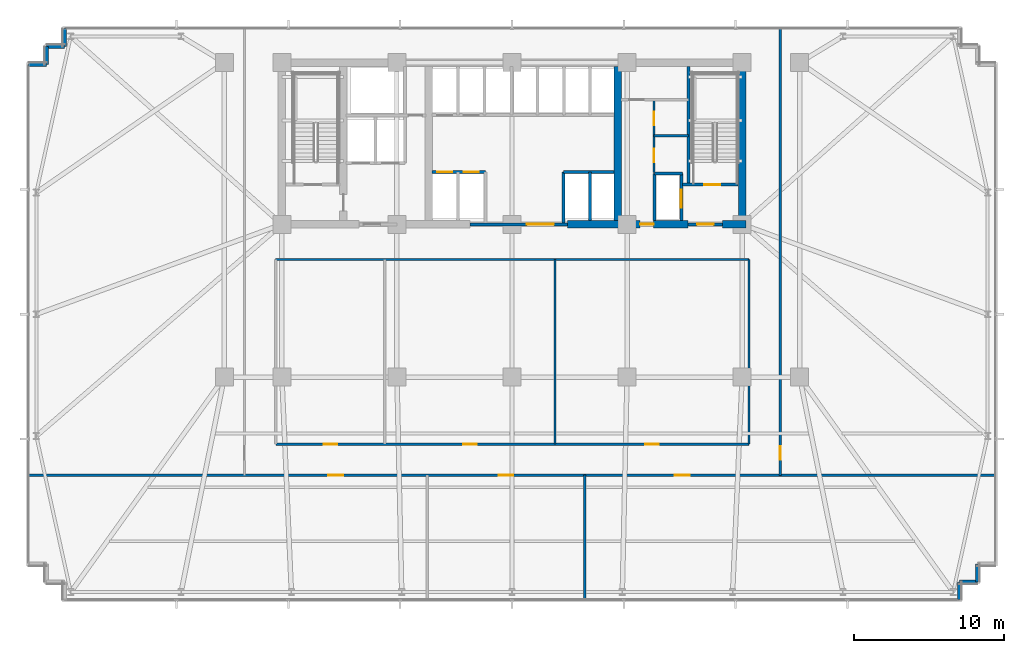
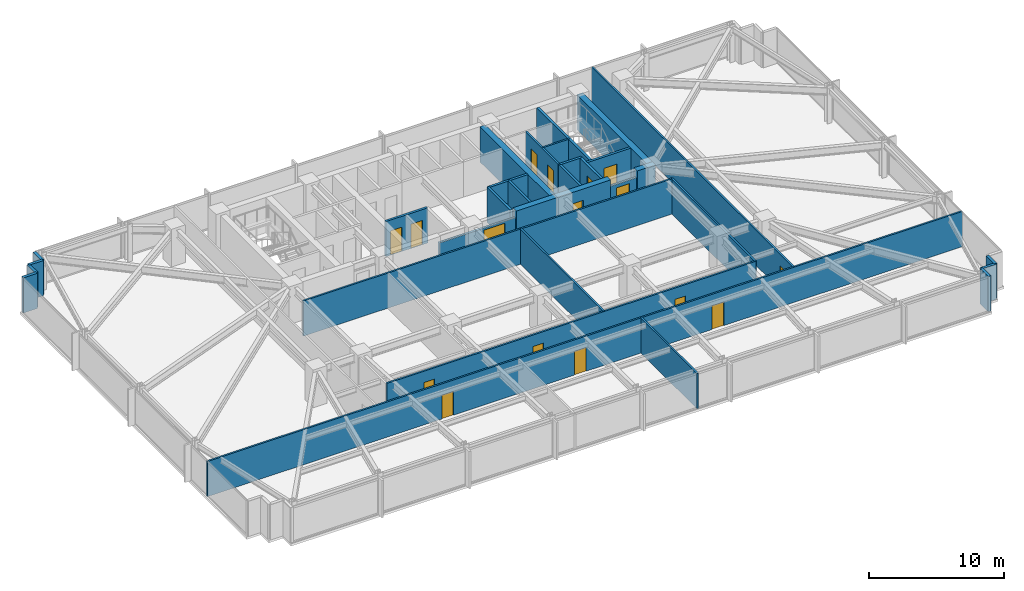
# One storey, part 25 of 32: 31 walls, 16 doors, 16 openings.
"""IFC4 building model written with IfcOpenShell, lengths in metres."""

from ifc_helpers import new_model, si_unit, direction, frame, frame_2d, origin, place, context, subcontext, project, spatial, rectangle, extrude, material, layer, layer_set, type_object, element, fill, save


model = new_model("IFC4")

# Units and contexts
model_context = context("Model", 3, precision=1e-05, world=origin(), true_north=direction((0.0, 1.0)))
body_context = subcontext(model_context, "Body", "Model", "MODEL_VIEW")
ifc_project = project(units=[si_unit("LENGTHUNIT", "METRE"), si_unit("AREAUNIT", "SQUARE_METRE"), si_unit("VOLUMEUNIT", "CUBIC_METRE"), si_unit("PLANEANGLEUNIT", "RADIAN"), si_unit("MASSUNIT", "GRAM", prefix="KILO")], contexts=[model_context])

# Site, building, storey
site_placement = place(None, origin())
site = spatial("IfcSite", under=ifc_project, at=site_placement, CompositionType="ELEMENT")
building_placement = place(site_placement, origin())
building = spatial("IfcBuilding", under=site, at=building_placement, Name="Yelkora Congress Tower", CompositionType="ELEMENT")
storey_placement = place(building_placement, frame((0.0, 0.0, 33.800048828125)))
storey = spatial("IfcBuildingStorey", under=building, at=storey_placement, Name="L07", CompositionType="ELEMENT", Elevation=33.800048828125)

# Wall
ifc_material_1 = material(Name="Concrete C50/60", Category="concrete")
ifc_layer_1 = layer(ifc_material_1, 0.219970703125)
ifc_layer_set_1 = layer_set([ifc_layer_1], Name="Concrete C50/60")
wall_type_1 = type_object("IfcWallType", Name="WALL-CORE-INT-220", PredefinedType="SHEAR", material=ifc_layer_set_1)
wall_1_placement = place(storey_placement, frame((50.179931640625, 38.050048828125, 0.0), z_axis=(0.0, 0.0, 1.0), x_axis=(0.0, 1.0, 0.0)))
element("IfcWall", 1, at=wall_1_placement, inside=storey, type_object=wall_type_1, Name="L07 ST02 West Stair Shear Wall", PredefinedType="SHEAR", context=body_context, shape_type="SweptSolid", body=[
    extrude(rectangle(XDim=7.89990234375, YDim=0.219970703125, at=frame_2d((3.949951171875, 0.0))), origin(), (0.0, 0.0, 1.0), 3.179931640625),
])

# Wall, opening, door
ifc_material_2 = material(Name="Concrete C60/75", Category="concrete")
ifc_layer_2 = layer(ifc_material_2, 0.5)
ifc_layer_set_2 = layer_set([ifc_layer_2], Name="Concrete C60/75")
wall_type_2 = type_object("IfcWallType", Name="WALL-CORE-INT-500", PredefinedType="SHEAR", material=ifc_layer_set_2)
wall_2_placement = place(storey_placement, frame((42.10009765625, 35.39990234375, 0.0), z_axis=(0.0, 0.0, 1.0), x_axis=(1.0, 0.0, 0.0)))
wall_2 = element("IfcWall", 2, at=wall_2_placement, inside=storey, type_object=wall_type_2, Name="L07 Rear Core South-East Shear Wall A", PredefinedType="SHEAR", context=body_context, shape_type="SweptSolid", body=[
    extrude(rectangle(XDim=8.0498046875, YDim=0.5, at=frame_2d((4.02490234375, 0.0))), origin(), (0.0, 0.0, 1.0), 3.179931640625),
])
opening_1_placement = place(wall_2_placement, frame((4.85009765625, 0.0, 0.0)))
opening_1 = element("IfcOpeningElement", 3, at=opening_1_placement, cuts=wall_2, Name="Opening DR-090F6", PredefinedType="OPENING", context=body_context, shape_type="SweptSolid", body=[
    extrude(rectangle(XDim=0.89990234375, YDim=2.14990234375, at=frame_2d((0.449951171875, 1.074951171875))), frame((0.0, 0.260009765625, 0.0), z_axis=(0.0, -1.0, 0.0), x_axis=(1.0, 0.0, 0.0)), (0.0, 0.0, 1.0), 0.52001953125),
])
ifc_material_3 = material(Name="Painted steel riser fire door leaf", Category="steel")
door_type_1 = type_object("IfcDoorType", Name="DOOR-FD60-900", OperationType="NOTDEFINED", PredefinedType="DOOR", material=ifc_material_3)
door_1_placement = place(opening_1_placement, origin())
door_1 = element("IfcDoor", 4, at=door_1_placement, inside=storey, type_object=door_type_1, Name="L07 Core Washroom Lobby Door", OperationType="SINGLE_SWING_RIGHT", OverallHeight=2.14990234375, OverallWidth=0.89990234375, PredefinedType="DOOR", context=body_context, shape_type="SweptSolid", body=[
    extrude(rectangle(XDim=0.89990234375, YDim=2.14990234375, at=frame_2d((0.449951171875, 1.074951171875))), frame((0.0, 0.02490234375, 0.0), z_axis=(0.0, -1.0, 0.0), x_axis=(1.0, 0.0, 0.0)), (0.0, 0.0, 1.0), 0.050048828125),
])
fill(opening_1, door_1)

# Walls
wall_3_placement = place(storey_placement, frame((52.449951171875, 35.39990234375, 0.0), z_axis=(0.0, 0.0, 1.0), x_axis=(1.0, 0.0, 0.0)))
element("IfcWall", 5, at=wall_3_placement, inside=storey, type_object=wall_type_2, Name="L07 Rear Core South-East Shear Wall B", PredefinedType="SHEAR", context=body_context, shape_type="SweptSolid", body=[
    extrude(rectangle(XDim=1.56005859375, YDim=0.5, at=frame_2d((0.780029296875, 0.0))), origin(), (0.0, 0.0, 1.0), 3.179931640625),
])
for number, where, z_axis, x_axis, name in (
    (6, (45.449951171875, 35.64990234375, 0.0), (0.0, 0.0, 1.0), (0.0, 1.0, 0.0), "L07 Rear Core Cross Shear Wall C3"),
    (7, (53.760009765625, 35.64990234375, 0.0), (0.0, 0.0, 1.0), (0.0, 1.0, 0.0), "L07 Rear Core Cross Shear Wall E"),
):
    element("IfcWall", number, at=place(storey_placement, frame(where, z_axis=z_axis, x_axis=x_axis)), inside=storey, type_object=wall_type_2, Name=name, PredefinedType="SHEAR", context=body_context, shape_type="SweptSolid", body=[
        extrude(rectangle(XDim=10.300048828125, YDim=0.5, at=frame_2d((5.14990234375, 0.0))), origin(), (0.0, 0.0, 1.0), 3.179931640625),
    ])
ifc_material_4 = material(Name="Concrete C40/50", Category="concrete")
ifc_layer_3 = layer(ifc_material_4, 0.239990234375)
ifc_layer_set_3 = layer_set([ifc_layer_3], Name="Concrete C40/50")
wall_type_3 = type_object("IfcWallType", Name="WALL-EXT-LIMESTONE-240", PredefinedType="SOLIDWALL", material=ifc_layer_set_3)
wall_4_placement = place(storey_placement, frame((6.139892578125, 46.06005859375, 0.0), z_axis=(0.0, 0.0, 1.0), x_axis=(1.0, 0.0, 0.0)))
element("IfcWall", 8, at=wall_4_placement, inside=storey, type_object=wall_type_3, Name="L07 Serrated Corner Limestone Pier 6", PredefinedType="SOLIDWALL", context=body_context, shape_type="SweptSolid", body=[
    extrude(rectangle(XDim=1.2001953125, YDim=0.239990234375, at=frame_2d((0.60009765625, 0.0))), origin(), (0.0, 0.0, 1.0), 3.179931640625),
])
for number, where, z_axis, x_axis, name in (
    (9, (7.340087890625, 46.06005859375, 0.0), (0.0, 0.0, 1.0), (0.0, 1.0, 0.0), "L07 Serrated Corner Limestone Pier 7"),
    (10, (7.340087890625, 47.260009765625, 0.0), (0.0, 0.0, 1.0), (1.0, 0.0, 0.0), "L07 Serrated Corner Limestone Pier 8"),
    (11, (8.5400390625, 47.260009765625, 0.0), (0.0, 0.0, 1.0), (0.0, 1.0, 0.0), "L07 Serrated Corner Limestone Pier 9"),
    (12, (69.4599609375, 12.739990234375, 0.0), (0.0, 0.0, 1.0), (0.0, -1.0, 0.0), "L07 Serrated Corner Limestone Pier 17"),
    (13, (69.4599609375, 11.5400390625, 0.0), (0.0, 0.0, 1.0), (-1.0, 0.0, 0.0), "L07 Serrated Corner Limestone Pier 18"),
    (14, (68.260009765625, 11.5400390625, 0.0), (0.0, 0.0, 1.0), (0.0, -1.0, 0.0), "L07 Serrated Corner Limestone Pier 19"),
):
    element("IfcWall", number, at=place(storey_placement, frame(where, z_axis=z_axis, x_axis=x_axis)), inside=storey, type_object=wall_type_3, Name=name, PredefinedType="SOLIDWALL", context=body_context, shape_type="SweptSolid", body=[
        extrude(rectangle(XDim=1.199951171875, YDim=0.239990234375, at=frame_2d((0.60009765625, 0.0))), origin(), (0.0, 0.0, 1.0), 3.179931640625),
    ])
ifc_material_5 = material(Name="Acoustic metal-stud gypsum partition", Category="gypsum")
ifc_layer_4 = layer(ifc_material_5, 0.14990234375)
ifc_layer_set_4 = layer_set([ifc_layer_4], Name="Acoustic metal-stud gypsum partition")
wall_type_4 = type_object("IfcWallType", Name="WALL-INT-150-NR", PredefinedType="PARTITIONING", material=ifc_layer_set_4)
wall_5_placement = place(storey_placement, frame((47.8798828125, 41.320068359375, 0.0), z_axis=(0.0, 0.0, 1.0), x_axis=(1.0, 0.0, 0.0)))
element("IfcWall", 15, at=wall_5_placement, inside=storey, type_object=wall_type_4, Name="L07 Partition Wall 29", PredefinedType="PARTITIONING", context=body_context, shape_type="SweptSolid", body=[
    extrude(rectangle(XDim=2.300048828125, YDim=0.14990234375, at=frame_2d((1.14990234375, 0.0))), origin(), (0.0, 0.0, 1.0), 3.179931640625),
])

# Wall, openings, doors
wall_6_placement = place(storey_placement, frame((47.8798828125, 38.85009765625, 0.0), z_axis=(0.0, 0.0, 1.0), x_axis=(0.0, 1.0, 0.0)))
wall_6 = element("IfcWall", 16, at=wall_6_placement, inside=storey, type_object=wall_type_4, Name="L07 Partition Wall 30", PredefinedType="PARTITIONING", context=body_context, shape_type="SweptSolid", body=[
    extrude(rectangle(XDim=4.869873046875, YDim=0.14990234375, at=frame_2d((2.43505859375, 0.0))), origin(), (0.0, 0.0, 1.0), 3.179931640625),
])
opening_2_placement = place(wall_6_placement, frame((0.699951171875, 0.0, 0.0)))
opening_2 = element("IfcOpeningElement", 17, at=opening_2_placement, cuts=wall_6, Name="Opening DR-090N", PredefinedType="OPENING", context=body_context, shape_type="SweptSolid", body=[
    extrude(rectangle(XDim=0.89990234375, YDim=2.14990234375, at=frame_2d((0.449951171875, 1.074951171875))), frame((0.0, 0.0849609375, 0.0), z_axis=(0.0, -1.0, 0.0), x_axis=(1.0, 0.0, 0.0)), (0.0, 0.0, 1.0), 0.169921875),
])
opening_3_placement = place(wall_6_placement, frame((3.14990234375, 0.0, 0.0)))
opening_3 = element("IfcOpeningElement", 18, at=opening_3_placement, cuts=wall_6, Name="Opening DR-090N", PredefinedType="OPENING", context=body_context, shape_type="SweptSolid", body=[
    extrude(rectangle(XDim=0.89990234375, YDim=2.14990234375, at=frame_2d((0.449951171875, 1.074951171875))), frame((0.0, 0.0849609375, 0.0), z_axis=(0.0, -1.0, 0.0), x_axis=(1.0, 0.0, 0.0)), (0.0, 0.0, 1.0), 0.169921875),
])
ifc_material_6 = material(Name="Moisture-resistant laminate door leaf", Category="wood")
door_type_2 = type_object("IfcDoorType", Name="DOOR-INT-900", OperationType="NOTDEFINED", PredefinedType="DOOR", material=ifc_material_6)
door_2_placement = place(opening_2_placement, origin())
door_2 = element("IfcDoor", 19, at=door_2_placement, inside=storey, type_object=door_type_2, Name="L07 Male WC Door", OperationType="SINGLE_SWING_LEFT", OverallHeight=2.14990234375, OverallWidth=0.89990234375, PredefinedType="DOOR", context=body_context, shape_type="SweptSolid", body=[
    extrude(rectangle(XDim=0.89990234375, YDim=2.14990234375, at=frame_2d((0.449951171875, 1.074951171875))), frame((0.0, 0.02490234375, 0.0), z_axis=(0.0, -1.0, 0.0), x_axis=(1.0, 0.0, 0.0)), (0.0, 0.0, 1.0), 0.050048828125),
])
fill(opening_2, door_2)
door_3_placement = place(opening_3_placement, origin())
door_3 = element("IfcDoor", 20, at=door_3_placement, inside=storey, type_object=door_type_2, Name="L07 Female WC Door", OperationType="SINGLE_SWING_RIGHT", OverallHeight=2.14990234375, OverallWidth=0.89990234375, PredefinedType="DOOR", context=body_context, shape_type="SweptSolid", body=[
    extrude(rectangle(XDim=0.89990234375, YDim=2.14990234375, at=frame_2d((0.449951171875, 1.074951171875))), frame((0.0, 0.02490234375, 0.0), z_axis=(0.0, -1.0, 0.0), x_axis=(1.0, 0.0, 0.0)), (0.0, 0.0, 1.0), 0.050048828125),
])
fill(opening_3, door_3)

# Wall
wall_7_placement = place(storey_placement, frame((43.2548828125, 10.280029296875, 0.0), z_axis=(0.0, 0.0, 1.0), x_axis=(0.0, 1.0, 0.0)))
element("IfcWall", 21, at=wall_7_placement, inside=storey, type_object=wall_type_4, Name="L07 Partition Wall 32", PredefinedType="PARTITIONING", context=body_context, shape_type="SweptSolid", body=[
    extrude(rectangle(XDim=8.389892578125, YDim=0.14990234375, at=frame_2d((4.19482421875, 0.0))), origin(), (0.0, 0.0, 1.0), 3.179931640625),
])

# Wall, openings, doors
wall_8_placement = place(storey_placement, frame((6.080078125, 18.64990234375, 0.0), z_axis=(0.0, 0.0, 1.0), x_axis=(1.0, 0.0, 0.0)))
wall_8 = element("IfcWall", 22, at=wall_8_placement, inside=storey, type_object=wall_type_4, Name="L07 South Spine Wall", PredefinedType="PARTITIONING", context=body_context, shape_type="SweptSolid", body=[
    extrude(rectangle(XDim=64.639892578125, YDim=0.14990234375, at=frame_2d((32.31982421875, 0.0))), origin(), (0.0, 0.0, 1.0), 3.179931640625),
])
opening_4_placement = place(wall_8_placement, frame((20.06689453125, 0.0, 0.0)))
opening_4 = element("IfcOpeningElement", 23, at=opening_4_placement, cuts=wall_8, Name="Opening DR-100N", PredefinedType="OPENING", context=body_context, shape_type="SweptSolid", body=[
    extrude(rectangle(XDim=1.0, YDim=2.14990234375, at=frame_2d((0.5, 1.074951171875))), frame((0.0, 0.0849609375, 0.0), z_axis=(0.0, -1.0, 0.0), x_axis=(1.0, 0.0, 0.0)), (0.0, 0.0, 1.0), 0.169921875),
])
opening_5_placement = place(wall_8_placement, frame((31.41943359375, 0.0, 0.0)))
opening_5 = element("IfcOpeningElement", 24, at=opening_5_placement, cuts=wall_8, Name="Opening DR-100N", PredefinedType="OPENING", context=body_context, shape_type="SweptSolid", body=[
    extrude(rectangle(XDim=1.0, YDim=2.14990234375, at=frame_2d((0.5, 1.074951171875))), frame((0.0, 0.0849609375, 0.0), z_axis=(0.0, -1.0, 0.0), x_axis=(1.0, 0.0, 0.0)), (0.0, 0.0, 1.0), 0.169921875),
])
opening_6_placement = place(wall_8_placement, frame((43.197509765625, 0.0, 0.0)))
opening_6 = element("IfcOpeningElement", 25, at=opening_6_placement, cuts=wall_8, Name="Opening DR-100N", PredefinedType="OPENING", context=body_context, shape_type="SweptSolid", body=[
    extrude(rectangle(XDim=1.0, YDim=2.14990234375, at=frame_2d((0.5, 1.074951171875))), frame((0.0, 0.0849609375, 0.0), z_axis=(0.0, -1.0, 0.0), x_axis=(1.0, 0.0, 0.0)), (0.0, 0.0, 1.0), 0.169921875),
])
ifc_material_7 = material(Name="Solid-core Anatolian oak veneer door", Category="wood")
door_type_3 = type_object("IfcDoorType", Name="DOOR-INT-1000", OperationType="NOTDEFINED", PredefinedType="DOOR", material=ifc_material_7)
door_4_placement = place(opening_4_placement, origin())
door_4 = element("IfcDoor", 26, at=door_4_placement, inside=storey, type_object=door_type_3, Name="L07 Open-Plan Office Door", OperationType="SINGLE_SWING_LEFT", OverallHeight=2.14990234375, OverallWidth=1.0, PredefinedType="DOOR", context=body_context, shape_type="SweptSolid", body=[
    extrude(rectangle(XDim=1.0, YDim=2.14990234375, at=frame_2d((0.5, 1.074951171875))), frame((0.0, 0.02490234375, 0.0), z_axis=(0.0, -1.0, 0.0), x_axis=(1.0, 0.0, 0.0)), (0.0, 0.0, 1.0), 0.050048828125),
])
fill(opening_4, door_4)
door_5_placement = place(opening_5_placement, origin())
door_5 = element("IfcDoor", 27, at=door_5_placement, inside=storey, type_object=door_type_3, Name="L07 Executive Office Door", OperationType="SINGLE_SWING_RIGHT", OverallHeight=2.14990234375, OverallWidth=1.0, PredefinedType="DOOR", context=body_context, shape_type="SweptSolid", body=[
    extrude(rectangle(XDim=1.0, YDim=2.14990234375, at=frame_2d((0.5, 1.074951171875))), frame((0.0, 0.02490234375, 0.0), z_axis=(0.0, -1.0, 0.0), x_axis=(1.0, 0.0, 0.0)), (0.0, 0.0, 1.0), 0.050048828125),
])
fill(opening_5, door_5)
door_6_placement = place(opening_6_placement, origin())
door_6 = element("IfcDoor", 28, at=door_6_placement, inside=storey, type_object=door_type_3, Name="L07 Conference Boardroom Door", OperationType="SINGLE_SWING_LEFT", OverallHeight=2.14990234375, OverallWidth=1.0, PredefinedType="DOOR", context=body_context, shape_type="SweptSolid", body=[
    extrude(rectangle(XDim=1.0, YDim=2.14990234375, at=frame_2d((0.5, 1.074951171875))), frame((0.0, 0.02490234375, 0.0), z_axis=(0.0, -1.0, 0.0), x_axis=(1.0, 0.0, 0.0)), (0.0, 0.0, 1.0), 0.050048828125),
])
fill(opening_6, door_6)

# Wall, opening, door
wall_9_placement = place(storey_placement, frame((56.300048828125, 18.64990234375, 0.0), z_axis=(0.0, 0.0, 1.0), x_axis=(0.0, 1.0, 0.0)))
wall_9 = element("IfcWall", 29, at=wall_9_placement, inside=storey, type_object=wall_type_4, Name="L07 Partition Wall 35", PredefinedType="PARTITIONING", context=body_context, shape_type="SweptSolid", body=[
    extrude(rectangle(XDim=29.8701171875, YDim=0.14990234375, at=frame_2d((14.93505859375, 0.0))), origin(), (0.0, 0.0, 1.0), 3.179931640625),
])
opening_7_placement = place(wall_9_placement, frame((1.030029296875, 0.0, 0.0)))
opening_7 = element("IfcOpeningElement", 30, at=opening_7_placement, cuts=wall_9, Name="Opening DR-090N", PredefinedType="OPENING", context=body_context, shape_type="SweptSolid", body=[
    extrude(rectangle(XDim=0.89990234375, YDim=2.14990234375, at=frame_2d((0.449951171875, 1.074951171875))), frame((0.0, 0.0849609375, 0.0), z_axis=(0.0, -1.0, 0.0), x_axis=(1.0, 0.0, 0.0)), (0.0, 0.0, 1.0), 0.169921875),
])
door_7_placement = place(opening_7_placement, origin())
door_7 = element("IfcDoor", 31, at=door_7_placement, inside=storey, type_object=door_type_2, Name="L07 E Wing Door", OperationType="SINGLE_SWING_LEFT", OverallHeight=2.14990234375, OverallWidth=0.89990234375, PredefinedType="DOOR", context=body_context, shape_type="SweptSolid", body=[
    extrude(rectangle(XDim=0.89990234375, YDim=2.14990234375, at=frame_2d((0.449951171875, 1.074951171875))), frame((0.0, 0.02490234375, 0.0), z_axis=(0.0, -1.0, 0.0), x_axis=(1.0, 0.0, 0.0)), (0.0, 0.0, 1.0), 0.050048828125),
])
fill(opening_7, door_7)

# Walls
wall_10_placement = place(storey_placement, frame((54.219970703125, 20.72998046875, 0.0), z_axis=(0.0, 0.0, 1.0), x_axis=(0.0, 1.0, 0.0)))
element("IfcWall", 32, at=wall_10_placement, inside=storey, type_object=wall_type_4, Name="L07 Partition Wall 37", PredefinedType="PARTITIONING", context=body_context, shape_type="SweptSolid", body=[
    extrude(rectangle(XDim=12.320068359375, YDim=0.14990234375, at=frame_2d((6.16015625, 0.0))), origin(), (0.0, 0.0, 1.0), 3.179931640625),
])
wall_11_placement = place(storey_placement, frame((22.6298828125, 33.050048828125, 0.0), z_axis=(0.0, 0.0, 1.0), x_axis=(1.0, 0.0, 0.0)))
element("IfcWall", 33, at=wall_11_placement, inside=storey, type_object=wall_type_4, Name="L07 Partition Wall 38", PredefinedType="PARTITIONING", context=body_context, shape_type="SweptSolid", body=[
    extrude(rectangle(XDim=31.590087890625, YDim=0.14990234375, at=frame_2d((15.794921875, 0.0))), origin(), (0.0, 0.0, 1.0), 3.179931640625),
])
wall_12_placement = place(storey_placement, frame((41.26611328125, 20.72998046875, 0.0), z_axis=(0.0, 0.0, 1.0), x_axis=(0.0, 1.0, 0.0)))
element("IfcWall", 34, at=wall_12_placement, inside=storey, type_object=wall_type_4, Name="L07 Partition Wall 40", PredefinedType="PARTITIONING", context=body_context, shape_type="SweptSolid", body=[
    extrude(rectangle(XDim=12.320068359375, YDim=0.14990234375, at=frame_2d((6.16015625, 0.0))), origin(), (0.0, 0.0, 1.0), 3.179931640625),
])

# Wall, openings, doors
wall_13_placement = place(storey_placement, frame((22.639892578125, 20.72998046875, 0.0), z_axis=(0.0, 0.0, 1.0), x_axis=(1.0, 0.0, 0.0)))
wall_13 = element("IfcWall", 35, at=wall_13_placement, inside=storey, type_object=wall_type_4, Name="L07 Partition Wall 41", PredefinedType="PARTITIONING", context=body_context, shape_type="SweptSolid", body=[
    extrude(rectangle(XDim=31.570068359375, YDim=0.14990234375, at=frame_2d((15.78515625, 0.0))), origin(), (0.0, 0.0, 1.0), 3.179931640625),
])
opening_8_placement = place(wall_13_placement, frame((3.180419921875, 0.0, 0.0)))
opening_8 = element("IfcOpeningElement", 36, at=opening_8_placement, cuts=wall_13, Name="Opening DR-090N", PredefinedType="OPENING", context=body_context, shape_type="SweptSolid", body=[
    extrude(rectangle(XDim=0.89990234375, YDim=2.14990234375, at=frame_2d((0.449951171875, 1.074951171875))), frame((0.0, 0.0849609375, 0.0), z_axis=(0.0, -1.0, 0.0), x_axis=(1.0, 0.0, 0.0)), (0.0, 0.0, 1.0), 0.169921875),
])
opening_9_placement = place(wall_13_placement, frame((12.493408203125, 0.0, 0.0)))
opening_9 = element("IfcOpeningElement", 37, at=opening_9_placement, cuts=wall_13, Name="Opening DR-090N", PredefinedType="OPENING", context=body_context, shape_type="SweptSolid", body=[
    extrude(rectangle(XDim=0.89990234375, YDim=2.14990234375, at=frame_2d((0.449951171875, 1.074951171875))), frame((0.0, 0.0849609375, 0.0), z_axis=(0.0, -1.0, 0.0), x_axis=(1.0, 0.0, 0.0)), (0.0, 0.0, 1.0), 0.169921875),
])
opening_10_placement = place(wall_13_placement, frame((24.64794921875, 0.0, 0.0)))
opening_10 = element("IfcOpeningElement", 38, at=opening_10_placement, cuts=wall_13, Name="Opening DR-090N", PredefinedType="OPENING", context=body_context, shape_type="SweptSolid", body=[
    extrude(rectangle(XDim=0.89990234375, YDim=2.14990234375, at=frame_2d((0.449951171875, 1.074951171875))), frame((0.0, 0.0849609375, 0.0), z_axis=(0.0, -1.0, 0.0), x_axis=(1.0, 0.0, 0.0)), (0.0, 0.0, 1.0), 0.169921875),
])
door_8_placement = place(opening_8_placement, origin())
door_8 = element("IfcDoor", 39, at=door_8_placement, inside=storey, type_object=door_type_2, Name="L07 Catering Servery Kitchen Door", OperationType="SINGLE_SWING_RIGHT", OverallHeight=2.14990234375, OverallWidth=0.89990234375, PredefinedType="DOOR", context=body_context, shape_type="SweptSolid", body=[
    extrude(rectangle(XDim=0.89990234375, YDim=2.14990234375, at=frame_2d((0.449951171875, 1.074951171875))), frame((0.0, 0.02490234375, 0.0), z_axis=(0.0, -1.0, 0.0), x_axis=(1.0, 0.0, 0.0)), (0.0, 0.0, 1.0), 0.050048828125),
])
fill(opening_8, door_8)
door_9_placement = place(opening_9_placement, origin())
door_9 = element("IfcDoor", 40, at=door_9_placement, inside=storey, type_object=door_type_2, Name="L07 Business Concierge Office Door", OperationType="SINGLE_SWING_LEFT", OverallHeight=2.14990234375, OverallWidth=0.89990234375, PredefinedType="DOOR", context=body_context, shape_type="SweptSolid", body=[
    extrude(rectangle(XDim=0.89990234375, YDim=2.14990234375, at=frame_2d((0.449951171875, 1.074951171875))), frame((0.0, 0.02490234375, 0.0), z_axis=(0.0, -1.0, 0.0), x_axis=(1.0, 0.0, 0.0)), (0.0, 0.0, 1.0), 0.050048828125),
])
fill(opening_9, door_9)
door_10_placement = place(opening_10_placement, origin())
door_10 = element("IfcDoor", 41, at=door_10_placement, inside=storey, type_object=door_type_2, Name="L07 Refreshment Galley Door", OperationType="SINGLE_SWING_RIGHT", OverallHeight=2.14990234375, OverallWidth=0.89990234375, PredefinedType="DOOR", context=body_context, shape_type="SweptSolid", body=[
    extrude(rectangle(XDim=0.89990234375, YDim=2.14990234375, at=frame_2d((0.449951171875, 1.074951171875))), frame((0.0, 0.02490234375, 0.0), z_axis=(0.0, -1.0, 0.0), x_axis=(1.0, 0.0, 0.0)), (0.0, 0.0, 1.0), 0.050048828125),
])
fill(opening_10, door_10)

# Wall, opening, door
ifc_material_8 = material(Name="Autoclaved aerated concrete blockwork", Category="masonry")
ifc_layer_5 = layer(ifc_material_8, 0.199951171875)
ifc_layer_set_5 = layer_set([ifc_layer_5], Name="Autoclaved aerated concrete blockwork")
wall_type_5 = type_object("IfcWallType", Name="WALL-INT-200-R120", PredefinedType="PARTITIONING", material=ifc_layer_set_5)
wall_14_placement = place(storey_placement, frame((35.60009765625, 35.39990234375, 0.0), z_axis=(0.0, 0.0, 1.0), x_axis=(1.0, 0.0, 0.0)))
wall_14 = element("IfcWall", 42, at=wall_14_placement, inside=storey, type_object=wall_type_5, Name="L07 Main Lift Lobby South Portal Wall", PredefinedType="PARTITIONING", context=body_context, shape_type="SweptSolid", body=[
    extrude(rectangle(XDim=6.5, YDim=0.199951171875, at=frame_2d((3.25, 0.0))), origin(), (0.0, 0.0, 1.0), 2.474853515625),
])
opening_11_placement = place(wall_14_placement, frame((3.800048828125, 0.0, 0.0)))
opening_11 = element("IfcOpeningElement", 43, at=opening_11_placement, cuts=wall_14, Name="Opening DR-180D", PredefinedType="OPENING", context=body_context, shape_type="SweptSolid", body=[
    extrude(rectangle(XDim=1.800048828125, YDim=2.300048828125, at=frame_2d((0.89990234375, 1.14990234375))), frame((0.0, 0.10986328125, 0.0), z_axis=(0.0, -1.0, 0.0), x_axis=(1.0, 0.0, 0.0)), (0.0, 0.0, 1.0), 0.219970703125),
])
ifc_material_9 = material(Name="Acoustic double congress hall doors", Category="wood")
door_type_4 = type_object("IfcDoorType", Name="DOOR-DBL-1800", OperationType="DOUBLE_DOOR_SINGLE_SWING", PredefinedType="DOOR", material=ifc_material_9)
door_11_placement = place(opening_11_placement, origin())
door_11 = element("IfcDoor", 44, at=door_11_placement, inside=storey, type_object=door_type_4, Name="L07 Main Lift Lobby Portal Door", OperationType="DOUBLE_DOOR_SINGLE_SWING", OverallHeight=2.300048828125, OverallWidth=1.800048828125, PredefinedType="DOOR", context=body_context, shape_type="SweptSolid", body=[
    extrude(rectangle(XDim=1.800048828125, YDim=2.300048828125, at=frame_2d((0.89990234375, 1.14990234375))), frame((0.0, 0.02490234375, 0.0), z_axis=(0.0, -1.0, 0.0), x_axis=(1.0, 0.0, 0.0)), (0.0, 0.0, 1.0), 0.050048828125),
])
fill(opening_11, door_11)

# Wall, openings, doors
wall_15_placement = place(storey_placement, frame((33.050048828125, 38.89990234375, 0.0), z_axis=(0.0, 0.0, 1.0), x_axis=(1.0, 0.0, 0.0)))
wall_15 = element("IfcWall", 45, at=wall_15_placement, inside=storey, type_object=wall_type_5, Name="L07 Partition Wall 11", PredefinedType="PARTITIONING", context=body_context, shape_type="SweptSolid", body=[
    extrude(rectangle(XDim=3.570068359375, YDim=0.199951171875, at=frame_2d((1.78515625, 0.0))), origin(), (0.0, 0.0, 1.0), 3.179931640625),
])
opening_12_placement = place(wall_15_placement, frame((0.375, 0.0, 0.0)))
opening_12 = element("IfcOpeningElement", 46, at=opening_12_placement, cuts=wall_15, Name="Opening LD-PS10", PredefinedType="OPENING", context=body_context, shape_type="SweptSolid", body=[
    extrude(rectangle(XDim=1.0, YDim=2.199951171875, at=frame_2d((0.5, 1.10009765625))), frame((0.0, 0.10986328125, 0.0), z_axis=(0.0, -1.0, 0.0), x_axis=(1.0, 0.0, 0.0)), (0.0, 0.0, 1.0), 0.219970703125),
])
opening_13_placement = place(wall_15_placement, frame((2.125, 0.0, 0.0)))
opening_13 = element("IfcOpeningElement", 47, at=opening_13_placement, cuts=wall_15, Name="Opening LD-PS10", PredefinedType="OPENING", context=body_context, shape_type="SweptSolid", body=[
    extrude(rectangle(XDim=1.0, YDim=2.199951171875, at=frame_2d((0.5, 1.10009765625))), frame((0.0, 0.10986328125, 0.0), z_axis=(0.0, -1.0, 0.0), x_axis=(1.0, 0.0, 0.0)), (0.0, 0.0, 1.0), 0.219970703125),
])
ifc_material_10 = material(Name="Champagne stainless steel landing door", Category="steel")
door_type_5 = type_object("IfcDoorType", Name="DOOR-LIFT-PAS-1000", OperationType="DOUBLE_DOOR_SLIDING", PredefinedType="DOOR", material=ifc_material_10)
door_12_placement = place(opening_12_placement, origin())
door_12 = element("IfcDoor", 48, at=door_12_placement, inside=storey, type_object=door_type_5, Name="Lift Landing Door LF-P1 L07", OperationType="DOUBLE_DOOR_SLIDING", OverallHeight=2.199951171875, OverallWidth=1.0, PredefinedType="DOOR", context=body_context, shape_type="SweptSolid", body=[
    extrude(rectangle(XDim=1.0, YDim=2.199951171875, at=frame_2d((0.5, 1.10009765625))), frame((0.0, 0.02490234375, 0.0), z_axis=(0.0, -1.0, 0.0), x_axis=(1.0, 0.0, 0.0)), (0.0, 0.0, 1.0), 0.050048828125),
])
fill(opening_12, door_12)
door_13_placement = place(opening_13_placement, origin())
door_13 = element("IfcDoor", 49, at=door_13_placement, inside=storey, type_object=door_type_5, Name="Lift Landing Door LF-P2 L07", OperationType="DOUBLE_DOOR_SLIDING", OverallHeight=2.199951171875, OverallWidth=1.0, PredefinedType="DOOR", context=body_context, shape_type="SweptSolid", body=[
    extrude(rectangle(XDim=1.0, YDim=2.199951171875, at=frame_2d((0.5, 1.10009765625))), frame((0.0, 0.02490234375, 0.0), z_axis=(0.0, -1.0, 0.0), x_axis=(1.0, 0.0, 0.0)), (0.0, 0.0, 1.0), 0.050048828125),
])
fill(opening_13, door_13)

# Walls
wall_16_placement = place(storey_placement, frame((41.85009765625, 38.89990234375, 0.0), z_axis=(0.0, 0.0, 1.0), x_axis=(1.0, 0.0, 0.0)))
element("IfcWall", 50, at=wall_16_placement, inside=storey, type_object=wall_type_5, Name="L07 Partition Wall 17", PredefinedType="PARTITIONING", context=body_context, shape_type="SweptSolid", body=[
    extrude(rectangle(XDim=3.369873046875, YDim=0.199951171875, at=frame_2d((1.68505859375, 0.0))), origin(), (0.0, 0.0, 1.0), 3.179931640625),
])
wall_17_placement = place(storey_placement, frame((43.60009765625, 35.64990234375, 0.0), z_axis=(0.0, 0.0, 1.0), x_axis=(0.0, 1.0, 0.0)))
element("IfcWall", 51, at=wall_17_placement, inside=storey, type_object=wall_type_5, Name="L07 Partition Wall 19", PredefinedType="PARTITIONING", context=body_context, shape_type="SweptSolid", body=[
    extrude(rectangle(XDim=3.25, YDim=0.199951171875, at=frame_2d((1.625, 0.0))), origin(), (0.0, 0.0, 1.0), 3.179931640625),
])
wall_18_placement = place(storey_placement, frame((41.85009765625, 35.5, 0.0), z_axis=(0.0, 0.0, 1.0), x_axis=(0.0, 1.0, 0.0)))
element("IfcWall", 52, at=wall_18_placement, inside=storey, type_object=wall_type_5, Name="L07 Partition Wall 21", PredefinedType="PARTITIONING", context=body_context, shape_type="SweptSolid", body=[
    extrude(rectangle(XDim=3.39990234375, YDim=0.199951171875, at=frame_2d((1.699951171875, 0.0))), origin(), (0.0, 0.0, 1.0), 3.179931640625),
])

# Wall, opening, door
wall_19_placement = place(storey_placement, frame((49.780029296875, 38.050048828125, 0.0), z_axis=(0.0, 0.0, 1.0), x_axis=(1.0, 0.0, 0.0)))
wall_19 = element("IfcWall", 53, at=wall_19_placement, inside=storey, type_object=wall_type_5, Name="L07 Stair ST-02 Enclosure Wall", PredefinedType="PARTITIONING", context=body_context, shape_type="SweptSolid", body=[
    extrude(rectangle(XDim=3.719970703125, YDim=0.199951171875, at=frame_2d((1.85986328125, 0.0))), origin(), (0.0, 0.0, 1.0), 3.179931640625),
])
opening_14_placement = place(wall_19_placement, frame((1.436279296875, 0.0, 0.0)))
opening_14 = element("IfcOpeningElement", 54, at=opening_14_placement, cuts=wall_19, Name="Opening DR-110F9", PredefinedType="OPENING", context=body_context, shape_type="SweptSolid", body=[
    extrude(rectangle(XDim=1.10009765625, YDim=2.14990234375, at=frame_2d((0.550048828125, 1.074951171875))), frame((0.0, 0.10986328125, 0.0), z_axis=(0.0, -1.0, 0.0), x_axis=(1.0, 0.0, 0.0)), (0.0, 0.0, 1.0), 0.219970703125),
])
ifc_material_11 = material(Name="Galvanised steel fire door leaf", Category="steel")
door_type_6 = type_object("IfcDoorType", Name="DOOR-FD90-1100", OperationType="NOTDEFINED", PredefinedType="DOOR", material=ifc_material_11)
door_14_placement = place(opening_14_placement, origin())
door_14 = element("IfcDoor", 55, at=door_14_placement, inside=storey, type_object=door_type_6, Name="L07 Stair ST-02 Entry Door", OperationType="SINGLE_SWING_LEFT", OverallHeight=2.14990234375, OverallWidth=1.10009765625, PredefinedType="DOOR", context=body_context, shape_type="SweptSolid", body=[
    extrude(rectangle(XDim=1.10009765625, YDim=2.14990234375, at=frame_2d((0.550048828125, 1.074951171875))), frame((0.0, 0.02490234375, 0.0), z_axis=(0.0, -1.0, 0.0), x_axis=(1.0, 0.0, 0.0)), (0.0, 0.0, 1.0), 0.050048828125),
])
fill(opening_14, door_14)

wall_20_placement = place(storey_placement, frame((50.14990234375, 35.39990234375, 0.0), z_axis=(0.0, 0.0, 1.0), x_axis=(1.0, 0.0, 0.0)))
wall_20 = element("IfcWall", 56, at=wall_20_placement, inside=storey, type_object=wall_type_5, Name="L07 Partition Wall 24", PredefinedType="PARTITIONING", context=body_context, shape_type="SweptSolid", body=[
    extrude(rectangle(XDim=2.300048828125, YDim=0.199951171875, at=frame_2d((1.14990234375, 0.0))), origin(), (0.0, 0.0, 1.0), 2.474853515625),
])
opening_15_placement = place(wall_20_placement, frame((0.60009765625, 0.0, 0.0)))
opening_15 = element("IfcOpeningElement", 57, at=opening_15_placement, cuts=wall_20, Name="Opening DR-110F9", PredefinedType="OPENING", context=body_context, shape_type="SweptSolid", body=[
    extrude(rectangle(XDim=1.10009765625, YDim=2.14990234375, at=frame_2d((0.550048828125, 1.074951171875))), frame((0.0, 0.10986328125, 0.0), z_axis=(0.0, -1.0, 0.0), x_axis=(1.0, 0.0, 0.0)), (0.0, 0.0, 1.0), 0.219970703125),
])
door_15_placement = place(opening_15_placement, origin())
door_15 = element("IfcDoor", 58, at=door_15_placement, inside=storey, type_object=door_type_6, Name="L07 East Stair Lobby Door", OperationType="SINGLE_SWING_RIGHT", OverallHeight=2.14990234375, OverallWidth=1.10009765625, PredefinedType="DOOR", context=body_context, shape_type="SweptSolid", body=[
    extrude(rectangle(XDim=1.10009765625, YDim=2.14990234375, at=frame_2d((0.550048828125, 1.074951171875))), frame((0.0, 0.02490234375, 0.0), z_axis=(0.0, -1.0, 0.0), x_axis=(1.0, 0.0, 0.0)), (0.0, 0.0, 1.0), 0.050048828125),
])
fill(opening_15, door_15)

wall_21_placement = place(storey_placement, frame((49.699951171875, 35.64990234375, 0.0), z_axis=(0.0, 0.0, 1.0), x_axis=(0.0, 1.0, 0.0)))
wall_21 = element("IfcWall", 59, at=wall_21_placement, inside=storey, type_object=wall_type_5, Name="L07 Partition Wall 25", PredefinedType="PARTITIONING", context=body_context, shape_type="SweptSolid", body=[
    extrude(rectangle(XDim=3.150146484375, YDim=0.199951171875, at=frame_2d((1.5751953125, 0.0))), origin(), (0.0, 0.0, 1.0), 3.179931640625),
])
opening_16_placement = place(wall_21_placement, frame((0.85009765625, 0.0, 0.0)))
opening_16 = element("IfcOpeningElement", 60, at=opening_16_placement, cuts=wall_21, Name="Opening LD-SV12", PredefinedType="OPENING", context=body_context, shape_type="SweptSolid", body=[
    extrude(rectangle(XDim=1.199951171875, YDim=2.199951171875, at=frame_2d((0.60009765625, 1.10009765625))), frame((0.0, 0.10986328125, 0.0), z_axis=(0.0, -1.0, 0.0), x_axis=(1.0, 0.0, 0.0)), (0.0, 0.0, 1.0), 0.219970703125),
])
ifc_material_12 = material(Name="Heavy-duty stainless steel landing door", Category="steel")
door_type_7 = type_object("IfcDoorType", Name="DOOR-LIFT-SRV-1200", OperationType="DOUBLE_DOOR_SLIDING", PredefinedType="DOOR", material=ifc_material_12)
door_16_placement = place(opening_16_placement, origin())
door_16 = element("IfcDoor", 61, at=door_16_placement, inside=storey, type_object=door_type_7, Name="Service Lift Landing Door LF-SV1 L07", OperationType="DOUBLE_DOOR_SLIDING", OverallHeight=2.199951171875, OverallWidth=1.199951171875, PredefinedType="DOOR", context=body_context, shape_type="SweptSolid", body=[
    extrude(rectangle(XDim=1.199951171875, YDim=2.199951171875, at=frame_2d((0.60009765625, 1.10009765625))), frame((0.0, 0.02490234375, 0.0), z_axis=(0.0, -1.0, 0.0), x_axis=(1.0, 0.0, 0.0)), (0.0, 0.0, 1.0), 0.050048828125),
])
fill(opening_16, door_16)

# Walls
wall_22_placement = place(storey_placement, frame((47.919921875, 35.64990234375, 0.0), z_axis=(0.0, 0.0, 1.0), x_axis=(0.0, 1.0, 0.0)))
element("IfcWall", 62, at=wall_22_placement, inside=storey, type_object=wall_type_5, Name="L07 Partition Wall 26", PredefinedType="PARTITIONING", context=body_context, shape_type="SweptSolid", body=[
    extrude(rectangle(XDim=3.150146484375, YDim=0.199951171875, at=frame_2d((1.5751953125, 0.0))), origin(), (0.0, 0.0, 1.0), 3.179931640625),
])
wall_23_placement = place(storey_placement, frame((47.919921875, 38.800048828125, 0.0), z_axis=(0.0, 0.0, 1.0), x_axis=(1.0, 0.0, 0.0)))
element("IfcWall", 63, at=wall_23_placement, inside=storey, type_object=wall_type_5, Name="L07 Partition Wall 27", PredefinedType="PARTITIONING", context=body_context, shape_type="SweptSolid", body=[
    extrude(rectangle(XDim=1.860107421875, YDim=0.199951171875, at=frame_2d((0.93017578125, 0.0))), origin(), (0.0, 0.0, 1.0), 3.179931640625),
])

save(model, "model.ifc")
